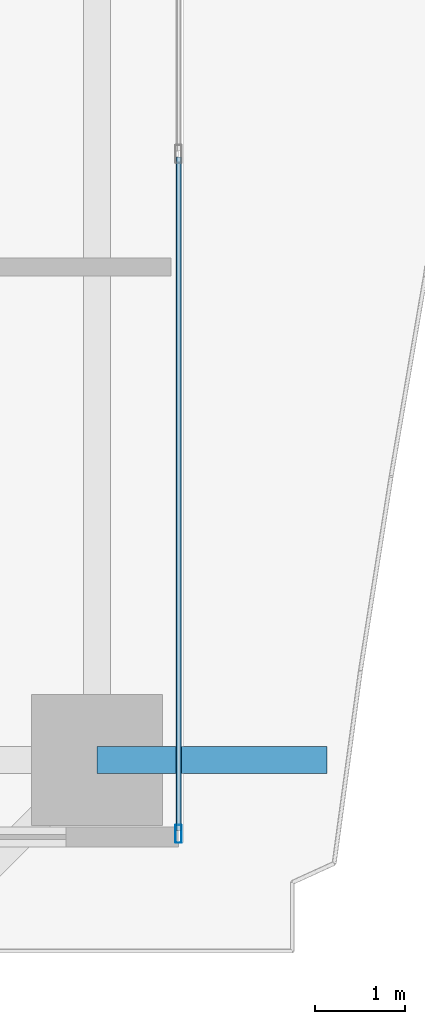
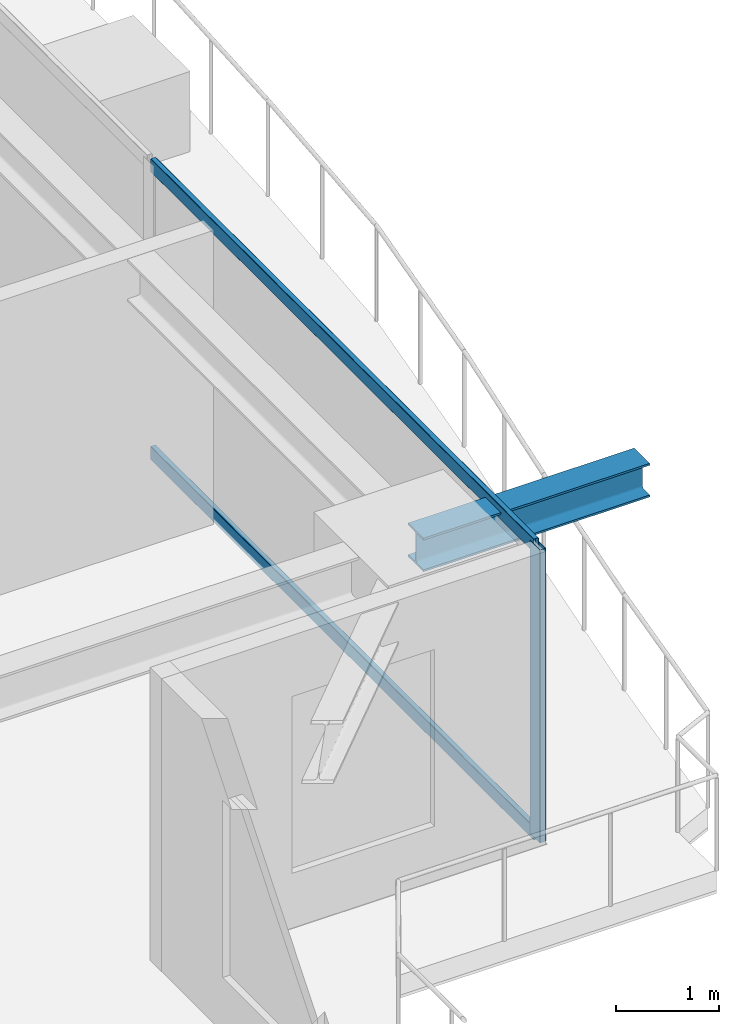
# One storey, part 13 of 39: 3 members, 1 beam, 1 element without a shape of its own.
"""IFC4 building model written with IfcOpenShell, lengths in metres."""

from ifc_helpers import new_model, si_unit, direction, frame, origin, origin_2d, place, context, subcontext, project, spatial, hollow_rectangle, i_section, extrude, source, transform, mapped, material, layer, layer_set, material_profile, profile_set, type_object, element, aggregate, save


model = new_model("IFC4")

# Units and contexts
model_context = context("Model", 3, precision=1e-05, world=origin(), true_north=direction((0.0, 1.0)))
body_context = subcontext(model_context, "Body", "Model", "MODEL_VIEW")
ifc_project = project(units=[si_unit("LENGTHUNIT", "METRE"), si_unit("AREAUNIT", "SQUARE_METRE"), si_unit("VOLUMEUNIT", "CUBIC_METRE"), si_unit("PLANEANGLEUNIT", "RADIAN"), si_unit("MASSUNIT", "GRAM", prefix="KILO")], contexts=[model_context])

# Site, building, storey
site_placement = place(None, origin())
site = spatial("IfcSite", under=ifc_project, at=site_placement, CompositionType="ELEMENT")
building_placement = place(site_placement, origin())
building = spatial("IfcBuilding", under=site, at=building_placement, Name="Serunith Strait Residences", CompositionType="ELEMENT")
storey_placement = place(building_placement, frame((0.0, 0.0, 49.199951171875)))
storey = spatial("IfcBuildingStorey", under=building, at=storey_placement, Name="L11", CompositionType="ELEMENT", Elevation=49.199951171875)

# Beam
ifc_material_1 = material(Name="Steel S355J2", Category="steel")
ifc_material_profile_1 = material_profile(ifc_material_1, i_section(OverallWidth=0.300048828125, OverallDepth=0.39990234375, WebThickness=0.013427734375, FlangeThickness=0.02392578125, FilletRadius=0.027099609375, at=origin_2d()), Name="HEB 400")
ifc_profile_set_1 = profile_set([ifc_material_profile_1], Name="Steel S355J2")
beam_type = type_object("IfcBeamType", Name="BM-HEB400", PredefinedType="BEAM", material=ifc_profile_set_1)
shared_shape_1 = source(origin(), body_context, "Body", "SweptSolid", [
    extrude(i_section(OverallWidth=0.300048828125, OverallDepth=0.39990234375, WebThickness=0.013427734375, FlangeThickness=0.02392578125, FilletRadius=0.027099609375, at=origin_2d()), origin(), (0.0, 0.0, 1.0), 2.5400390625),
])
beam_placement = place(storey_placement, frame((57.89990234375, 9.449951171875, 3.257080078125), z_axis=(1.0, 0.0, 0.0), x_axis=(0.0, 1.0, 0.0)))
element("IfcBeam", 1, at=beam_placement, inside=storey, type_object=beam_type, Name="L12 Cantilevered Balcony Rib TC-E1", PredefinedType="BEAM", context=body_context, shape_type="MappedRepresentation", body=[
    mapped(shared_shape_1, transform((0.0, 0.0, 0.0), scale=1.0)),
])

# Curtain wall, members
ifc_material_2 = material(Name="Pale-Champagne Anodised Aluminium", Category="aluminium")
ifc_layer = layer(ifc_material_2, 0.199951171875, Name="Pale-Champagne Anodised Aluminium")
ifc_layer_set = layer_set([ifc_layer], Name="Pale-Champagne Anodised Aluminium")
curtain_wall_type = type_object("IfcCurtainWallType", Name="CW-SYS1", PredefinedType="NOTDEFINED", material=ifc_layer_set)
curtain_wall_placement = place(storey_placement, origin())
curtain_wall = element("IfcCurtainWall", 2, at=curtain_wall_placement, inside=storey, type_object=curtain_wall_type, Name="L11 E Unitised Fritted Curtain Wall", PredefinedType="NOTDEFINED")
ifc_material_profile_2 = material_profile(ifc_material_2, hollow_rectangle(XDim=0.070068359375, YDim=0.199951171875, WallThickness=0.00390625, InnerFilletRadius=0.006103515625, OuterFilletRadius=0.010009765625, at=origin_2d()), Name="ALU 200x70x4")
ifc_profile_set_2 = profile_set([ifc_material_profile_2], Name="Pale-Champagne Anodised Aluminium")
member_type_1 = type_object("IfcMemberType", Name="CW-SYS1-MULL", PredefinedType="MULLION", material=ifc_profile_set_2)
shared_shape_2 = source(origin(), body_context, "Body", "SweptSolid", [
    extrude(hollow_rectangle(XDim=0.070068359375, YDim=0.199951171875, WallThickness=0.00390625, InnerFilletRadius=0.006103515625, OuterFilletRadius=0.010009765625, at=origin_2d()), origin(), (0.0, 0.0, 1.0), 3.47509765625),
])
member_1_placement = place(storey_placement, frame((58.800048828125, 8.635009765625, 0.0), z_axis=(0.0, 0.0, 1.0), x_axis=(-1.0, 0.0, 0.0)))
member_1 = element("IfcMember", 3, at=member_1_placement, type_object=member_type_1, Name="CW-1 mullion 1", PredefinedType="MULLION", context=body_context, shape_type="MappedRepresentation", body=[
    mapped(shared_shape_2, transform((0.0, 0.0, 0.0), scale=1.0)),
])
ifc_material_profile_3 = material_profile(ifc_material_2, hollow_rectangle(XDim=0.06005859375, YDim=0.159912109375, WallThickness=0.00341796875, InnerFilletRadius=0.00537109375, OuterFilletRadius=0.0087890625, at=origin_2d()), Name="ALU 160x60x3.5")
ifc_profile_set_3 = profile_set([ifc_material_profile_3], Name="Pale-Champagne Anodised Aluminium")
member_type_2 = type_object("IfcMemberType", Name="CW-SYS1-TRAN", PredefinedType="USERDEFINED", material=ifc_profile_set_3)
shared_shape_3 = source(origin(), body_context, "Body", "SweptSolid", [
    extrude(hollow_rectangle(XDim=0.06005859375, YDim=0.159912109375, WallThickness=0.00341796875, InnerFilletRadius=0.00537109375, OuterFilletRadius=0.0087890625, at=origin_2d()), origin(), (0.0, 0.0, 1.0), 7.445068359375),
])
member_2_placement = place(storey_placement, frame((58.800048828125, 8.669921875, 0.030029296875), z_axis=(0.0, 1.0, 0.0), x_axis=(-1.0, 0.0, 0.0)))
member_2 = element("IfcMember", 4, at=member_2_placement, type_object=member_type_2, Name="CW-1 transom 1.1", ObjectType="TRANSOM", PredefinedType="USERDEFINED", context=body_context, shape_type="MappedRepresentation", body=[
    mapped(shared_shape_3, transform((0.0, 0.0, 0.0), scale=1.0)),
])
member_3_placement = place(storey_placement, frame((58.800048828125, 8.669921875, 3.445068359375), z_axis=(0.0, 1.0, 0.0), x_axis=(-1.0, 0.0, 0.0)))
member_3 = element("IfcMember", 5, at=member_3_placement, type_object=member_type_2, Name="CW-1 transom 1.2", ObjectType="TRANSOM", PredefinedType="USERDEFINED", context=body_context, shape_type="MappedRepresentation", body=[
    mapped(shared_shape_3, transform((0.0, 0.0, 0.0), scale=1.0)),
])
aggregate(curtain_wall, [member_1, member_2, member_3])

save(model, "model.ifc")
